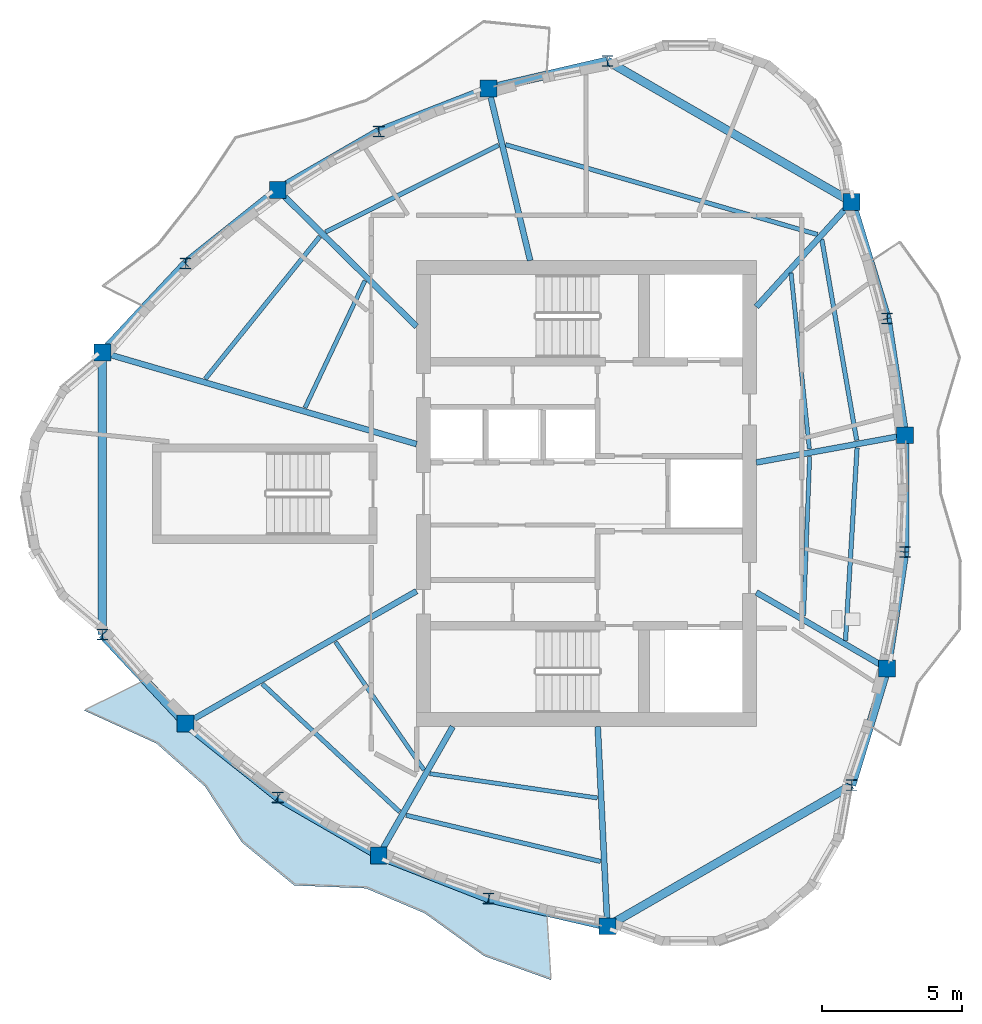
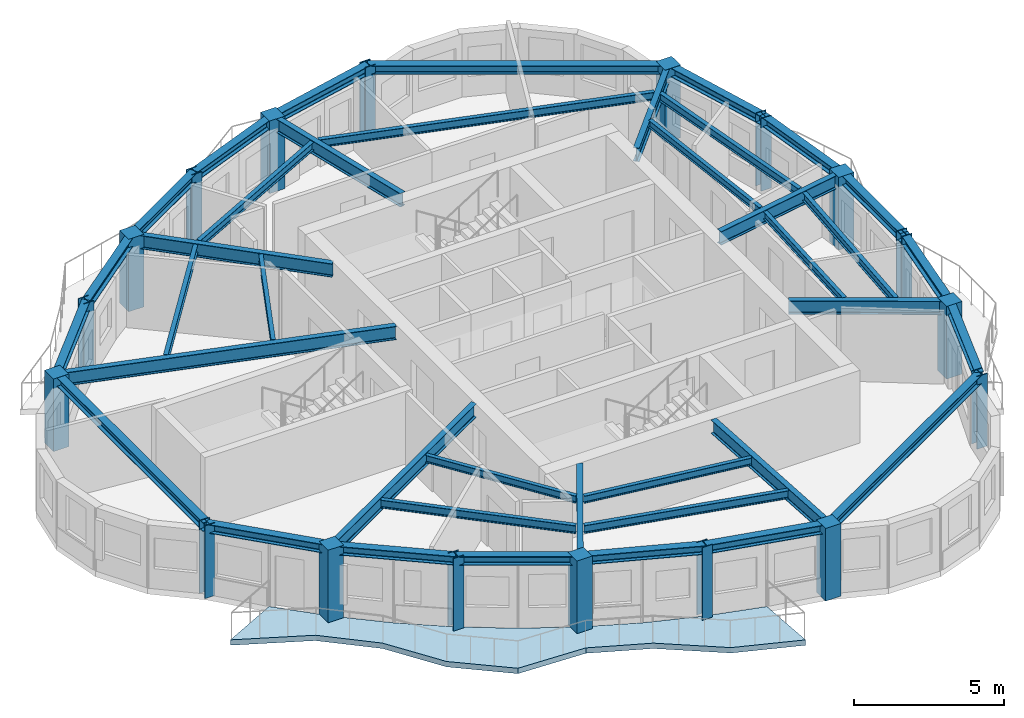
# One storey, part 1 of 11: 39 beams, 18 columns, 1 slab.
"""IFC4 building model written with IfcOpenShell, lengths in metres."""

import ifcopenshell
import ifcopenshell.guid

model = None  # the IFC model being written
_history = None  # IfcOwnerHistory: only IFC2X3 demands one
_inside = {}  # id of a spatial element -> (the spatial element, [elements in it])
_under = {}  # id of a project, library or spatial element -> (it, [spatial elements below it])
_declared = {}  # id of a project -> (the project, [libraries it declares])
_typed = {}  # id of a type object -> (the type object, [elements of that type])
_made_of = {}  # id of a material, layer set ... -> (it, [elements and type objects made of it])


def new_model(schema):
    """Start an empty IFC model of exactly this schema.

    Asked for "IFC4X3", IfcOpenShell would pick the latest addendum, in which some entities
    have other attributes; the version numbers below select the first issue.
    IFC2X3 requires an IfcOwnerHistory on every rooted entity: one is made here for all.
    """
    global model, _history
    if schema == "IFC4X3":
        model = ifcopenshell.file(schema_version=(4, 3, 0, 0))
    else:
        model = ifcopenshell.file(schema=schema)
    _inside.clear()
    _under.clear()
    _declared.clear()
    _typed.clear()
    _made_of.clear()
    _history = None
    if model.schema == "IFC2X3":
        org = make("IfcOrganization", Name="unknown")
        user = make(
            "IfcPersonAndOrganization",
            ThePerson=make("IfcPerson", FamilyName="unknown"),
            TheOrganization=org,
        )
        app = make(
            "IfcApplication",
            ApplicationDeveloper=org,
            Version="unknown",
            ApplicationFullName="unknown",
            ApplicationIdentifier="unknown",
        )
        _history = make(
            "IfcOwnerHistory",
            OwningUser=user,
            OwningApplication=app,
            ChangeAction="ADDED",
            CreationDate=0,
        )
    return model


def make(cls, **values):
    """One entity of the class cls with the attributes given. An attribute that is None is left unset."""
    return model.create_entity(
        cls, **{name: value for name, value in values.items() if value is not None}
    )


def rooted(cls, **values):
    """An entity with a GlobalId (a new one), such as an element, a storey or a relation."""
    return make(cls, GlobalId=ifcopenshell.guid.new(), OwnerHistory=_history, **values)


def si_unit(unit_type, name, prefix=None):
    """IfcSIUnit, for example si_unit("LENGTHUNIT", "METRE", prefix="MILLI")."""
    return make("IfcSIUnit", UnitType=unit_type, Prefix=prefix, Name=name)


def assignment(units):
    """IfcUnitAssignment: the units of a project."""
    return None if units is None else make("IfcUnitAssignment", Units=units)


def point(xyz):
    """IfcCartesianPoint."""
    return None if xyz is None else make("IfcCartesianPoint", Coordinates=xyz)


def direction(xyz):
    """IfcDirection."""
    return None if xyz is None else make("IfcDirection", DirectionRatios=xyz)


def frame(location, z_axis=None, x_axis=None):
    """IfcAxis2Placement3D, a coordinate frame: its origin and axes. An axis left out is left unset."""
    return make(
        "IfcAxis2Placement3D",
        Location=point(location),
        Axis=direction(z_axis),
        RefDirection=direction(x_axis),
    )


def frame_2d(location, x_axis=None):
    """IfcAxis2Placement2D, a coordinate frame in the plane: its origin and x axis."""
    return make(
        "IfcAxis2Placement2D", Location=point(location), RefDirection=direction(x_axis)
    )


def origin():
    """The frame at (0, 0, 0) with its axes left unset."""
    return frame((0.0, 0.0, 0.0))


def origin_2d():
    """The frame at (0, 0) in the plane with its x axis left unset."""
    return frame_2d((0.0, 0.0))


def place(relative_to, where):
    """IfcLocalPlacement: puts the frame where relative to a parent placement (None: the world)."""
    return make(
        "IfcLocalPlacement", PlacementRelTo=relative_to, RelativePlacement=where
    )


def context(
    kind, dimensions, precision=None, world=None, true_north=None, identifier=None
):
    """IfcGeometricRepresentationContext, for example the 3D "Model" context."""
    return make(
        "IfcGeometricRepresentationContext",
        ContextIdentifier=identifier,
        ContextType=kind,
        CoordinateSpaceDimension=dimensions,
        Precision=precision,
        WorldCoordinateSystem=world,
        TrueNorth=true_north,
    )


def subcontext(parent, identifier, kind, view, scale=None):
    """IfcGeometricRepresentationSubContext, for example "Body" below "Model"."""
    return make(
        "IfcGeometricRepresentationSubContext",
        ContextIdentifier=identifier,
        ContextType=kind,
        ParentContext=parent,
        TargetScale=scale,
        TargetView=view,
    )


def project(units=None, contexts=None):
    """IfcProject with its units and contexts."""
    return rooted(
        "IfcProject",
        Name="project",
        RepresentationContexts=contexts,
        UnitsInContext=assignment(units),
    )


def spatial(cls, under=None, at=None, **own):
    """A site, building, storey or space (cls), placed at a placement, below another one or the project."""
    s = rooted(cls, ObjectPlacement=at, **own)
    if under is not None:
        _under.setdefault(under.id(), (under, []))[1].append(s)
    return s


def polyline(points):
    """IfcPolyline through the points."""
    return make("IfcPolyline", Points=[point(p) for p in points])


def profile(cls, at=None, kind="AREA", **sizes):
    """A parametric profile (cls). Its sizes go by their IFC names, for example OverallWidth=200.0."""
    return make(cls, ProfileType=kind, Position=at, **sizes)


def rectangle(**sizes):
    """IfcRectangleProfileDef."""
    return profile("IfcRectangleProfileDef", **sizes)


def i_section(**sizes):
    """IfcIShapeProfileDef."""
    return profile("IfcIShapeProfileDef", **sizes)


def outline(outer, holes=None, kind="AREA"):
    """IfcArbitraryClosedProfileDef: a profile drawn as a closed curve; with holes, ...WithVoids."""
    if holes is None:
        return make("IfcArbitraryClosedProfileDef", ProfileType=kind, OuterCurve=outer)
    return make(
        "IfcArbitraryProfileDefWithVoids",
        ProfileType=kind,
        OuterCurve=outer,
        InnerCurves=holes,
    )


def extrude(swept, where, along, depth):
    """IfcExtrudedAreaSolid: the profile swept, set in the frame where, extruded along a direction by depth."""
    return make(
        "IfcExtrudedAreaSolid",
        SweptArea=swept,
        Position=where,
        ExtrudedDirection=direction(along),
        Depth=depth,
    )


def shape(context_of_items, identifier, shape_type, items):
    """IfcShapeRepresentation: the items that make up one representation, for example the "Body"."""
    return make(
        "IfcShapeRepresentation",
        ContextOfItems=context_of_items,
        RepresentationIdentifier=identifier,
        RepresentationType=shape_type,
        Items=items,
    )


def source(mapping_origin, context_of_items, identifier, shape_type, items):
    """IfcRepresentationMap: a shape defined once, which mapped items show again and again."""
    return make(
        "IfcRepresentationMap",
        MappingOrigin=mapping_origin,
        MappedRepresentation=shape(context_of_items, identifier, shape_type, items),
    )


def transform(
    local_origin,
    x_axis=None,
    y_axis=None,
    z_axis=None,
    scale=None,
    scale2=None,
    scale3=None,
    uniform=True,
):
    """IfcCartesianTransformationOperator3D, or its non-uniform kind. x_axis, y_axis, z_axis: its Axis1, 2, 3."""
    if uniform:
        return make(
            "IfcCartesianTransformationOperator3D",
            Axis1=direction(x_axis),
            Axis2=direction(y_axis),
            LocalOrigin=point(local_origin),
            Scale=scale,
            Axis3=direction(z_axis),
        )
    return make(
        "IfcCartesianTransformationOperator3DnonUniform",
        Axis1=direction(x_axis),
        Axis2=direction(y_axis),
        LocalOrigin=point(local_origin),
        Scale=scale,
        Axis3=direction(z_axis),
        Scale2=scale2,
        Scale3=scale3,
    )


def mapped(mapping_source, mapping_target):
    """IfcMappedItem: shows the shape of a source again, moved by a transform."""
    return make(
        "IfcMappedItem", MappingSource=mapping_source, MappingTarget=mapping_target
    )


def material(Name=None, Category=None):
    """IfcMaterial."""
    return make("IfcMaterial", Name=Name, Category=Category)


def layer(
    of_material, thickness, ventilated=None, Name=None, Category=None, Priority=None
):
    """IfcMaterialLayer: one layer of a wall or slab, of a material (None: an air gap)."""
    return make(
        "IfcMaterialLayer",
        Material=of_material,
        LayerThickness=thickness,
        IsVentilated=ventilated,
        Name=Name,
        Category=Category,
        Priority=Priority,
    )


def layer_set(layers, Name=None):
    """IfcMaterialLayerSet."""
    return make("IfcMaterialLayerSet", MaterialLayers=layers, LayerSetName=Name)


def material_profile(
    of_material, cross_section, Name=None, Category=None, Priority=None
):
    """IfcMaterialProfile: a cross section and its material."""
    return make(
        "IfcMaterialProfile",
        Name=Name,
        Material=of_material,
        Profile=cross_section,
        Priority=Priority,
        Category=Category,
    )


def profile_set(profiles, Name=None, composite=None):
    """IfcMaterialProfileSet."""
    return make(
        "IfcMaterialProfileSet",
        Name=Name,
        MaterialProfiles=profiles,
        CompositeProfile=composite,
    )


def made_of(thing, what):
    """Note that an element or type object is made of a material, layer set ...; save() writes the relation."""
    if what is not None:
        _made_of.setdefault(what.id(), (what, []))[1].append(thing)
    return thing


def type_object(cls, material=None, **own):
    """A type object (cls), such as IfcWallType, which elements share."""
    return made_of(rooted(cls, **own), material)


def element(
    cls,
    number,
    at=None,
    inside=None,
    cuts=None,
    type_object=None,
    material=None,
    context=None,
    identifier="Body",
    shape_type=None,
    held_by="IfcProductDefinitionShape",
    body=None,
    shapes=None,
    **own,
):
    """One element of the class cls, such as IfcWall. Its Tag is "e" and its number.

    at: its placement. inside: the storey or other place that contains it. cuts: it is an
    opening in that element (IfcRelVoidsElement). A single representation is given by context,
    identifier, shape_type and body (its items); several are given by shapes. held_by: the class
    of the entity that holds the representations. save() writes the other relations.
    """
    e = rooted(cls, Tag="e%d" % number, ObjectPlacement=at, **own)
    if body is not None:
        shapes = [shape(context, identifier, shape_type, body)]
    if shapes is not None:
        e.Representation = make(held_by, Representations=shapes)
    if inside is not None:
        _inside.setdefault(inside.id(), (inside, []))[1].append(e)
    if cuts is not None:
        rooted(
            "IfcRelVoidsElement", RelatingBuildingElement=cuts, RelatedOpeningElement=e
        )
    if type_object is not None:
        _typed.setdefault(type_object.id(), (type_object, []))[1].append(e)
    return made_of(e, material)


def aggregate(whole, parts):
    """IfcRelAggregates: a whole, such as a stair, and the parts it consists of."""
    return rooted("IfcRelAggregates", RelatingObject=whole, RelatedObjects=parts)


def save(model, path):
    """Write the relations noted so far, then the file.

    IfcRelAggregates (storeys below a building ...), IfcRelContainedInSpatialStructure (elements
    in a storey), IfcRelDefinesByType, IfcRelAssociatesMaterial and IfcRelDeclares: one each for
    every whole, place, type object, material and project.
    """
    for whole, parts in _under.values():
        aggregate(whole, parts)
    for where, things in _inside.values():
        rooted(
            "IfcRelContainedInSpatialStructure",
            RelatedElements=things,
            RelatingStructure=where,
        )
    for kind, things in _typed.values():
        rooted("IfcRelDefinesByType", RelatedObjects=things, RelatingType=kind)
    for what, things in _made_of.values():
        rooted("IfcRelAssociatesMaterial", RelatedObjects=things, RelatingMaterial=what)
    for by, libraries in _declared.values():
        rooted("IfcRelDeclares", RelatingContext=by, RelatedDefinitions=libraries)
    model.write(path)


model = new_model("IFC4")

# Units and contexts
model_context = context("Model", 3, precision=1e-05, world=origin(), true_north=direction((0.0, 1.0)))
body_context = subcontext(model_context, "Body", "Model", "MODEL_VIEW")
ifc_project = project(units=[si_unit("LENGTHUNIT", "METRE"), si_unit("AREAUNIT", "SQUARE_METRE"), si_unit("VOLUMEUNIT", "CUBIC_METRE"), si_unit("PLANEANGLEUNIT", "RADIAN"), si_unit("MASSUNIT", "GRAM", prefix="KILO")], contexts=[model_context])

# Site, building, storey
site_placement = place(None, origin())
site = spatial("IfcSite", under=ifc_project, at=site_placement, CompositionType="ELEMENT")
building_placement = place(site_placement, origin())
building = spatial("IfcBuilding", under=site, at=building_placement, Name="Qafzar Sky-Pleat Residences", CompositionType="ELEMENT")
storey_placement = place(building_placement, frame((0.0, 0.0, 237.199951171875)))
storey = spatial("IfcBuildingStorey", under=building, at=storey_placement, Name="L71", CompositionType="ELEMENT", Elevation=237.199951171875)

# Columns
ifc_material_1 = material(Name="Concrete C50/60", Category="concrete")
ifc_material_profile_1 = material_profile(ifc_material_1, rectangle(XDim=0.60009765625, YDim=0.60009765625, at=origin_2d()), Name="RC 600x600")
ifc_profile_set_1 = profile_set([ifc_material_profile_1], Name="Concrete C50/60")
column_type_1 = type_object("IfcColumnType", Name="COL-RC-600", PredefinedType="COLUMN", material=ifc_profile_set_1)
shared_shape_1 = source(origin(), body_context, "Body", "SweptSolid", [
    extrude(rectangle(XDim=0.60009765625, YDim=0.60009765625, at=origin_2d()), origin(), (0.0, 0.0, 1.0), 2.9599609375),
])
for number, where, z_axis, x_axis, name in (
    (1, (13.110107421875, 31.02294921875, 0.0), (0.0, 0.0, 1.0), (1.0, 0.0, 0.0), "L71 Perimeter Mega Column 1"),
    (2, (16.07568359375, 17.806884765625, 0.0), (0.0, 0.0, 1.0), (1.0, 0.0, 0.0), "L71 Perimeter Mega Column 3"),
    (3, (22.9541015625, 13.106689453125, 0.0), (0.0, 0.0, 1.0), (1.0, 0.0, 0.0), "L71 Perimeter Mega Column 5"),
    (4, (31.094970703125, 10.593505859375, 0.0), (0.0, 0.0, 1.0), (1.0, 0.0, 0.0), "L71 Perimeter Mega Column 7"),
    (5, (41.0576171875, 19.769775390625, 0.0), (0.0, 0.0, 1.0), (1.0, 0.0, 0.0), "L71 Perimeter Mega Column 9"),
    (6, (41.68896484375, 28.07666015625, 0.0), (0.0, 0.0, 1.0), (1.0, 0.0, 0.0), "L71 Perimeter Mega Column 11"),
    (7, (39.794921875, 36.383544921875, 0.0), (0.0, 0.0, 1.0), (1.0, 0.0, 0.0), "L71 Perimeter Mega Column 13"),
    (8, (26.86669921875, 40.42333984375, 0.0), (0.0, 0.0, 1.0), (1.0, 0.0, 0.0), "L71 Perimeter Mega Column 15"),
    (9, (19.35693359375, 36.816650390625, 0.0), (0.0, 0.0, 1.0), (1.0, 0.0, 0.0), "L71 Perimeter Mega Column 17"),
):
    element("IfcColumn", number, at=place(storey_placement, frame(where, z_axis=z_axis, x_axis=x_axis)), inside=storey, type_object=column_type_1, Name=name, PredefinedType="COLUMN", context=body_context, shape_type="MappedRepresentation", body=[
        mapped(shared_shape_1, transform((0.0, 0.0, 0.0), x_axis=(1.0, 0.0, 0.0), y_axis=(0.0, 1.0, 0.0), z_axis=(0.0, 0.0, 1.0), scale=1.0)),
    ])
ifc_material_2 = material(Name="Steel S355", Category="steel")
ifc_material_profile_2 = material_profile(ifc_material_2, i_section(OverallWidth=0.39794921875, OverallDepth=0.386962890625, WebThickness=0.01904296875, FlangeThickness=0.030029296875, FilletRadius=0.014892578125, at=origin_2d()), Name="HD 400x262")
ifc_profile_set_2 = profile_set([ifc_material_profile_2], Name="Steel S355")
column_type_2 = type_object("IfcColumnType", Name="COL-STL-HD262", PredefinedType="PILASTER", material=ifc_profile_set_2)
shared_shape_2 = source(origin(), body_context, "Body", "SweptSolid", [
    extrude(i_section(OverallWidth=0.39794921875, OverallDepth=0.386962890625, WebThickness=0.01904296875, FlangeThickness=0.030029296875, FilletRadius=0.014892578125, at=origin_2d()), origin(), (0.0, 0.0, 1.0), 2.9599609375),
])
for number, where, z_axis, x_axis, name in (
    (10, (13.110107421875, 20.97705078125, 0.0), (0.0, 0.0, 1.0), (1.0, 0.0, 0.0), "L71 Perimeter Mega Column 2"),
    (11, (19.35693359375, 15.183349609375, 0.0), (0.0, 0.0, 1.0), (1.0, 0.0, 0.0), "L71 Perimeter Mega Column 4"),
    (12, (26.86669921875, 11.57666015625, 0.0), (0.0, 0.0, 1.0), (1.0, 0.0, 0.0), "L71 Perimeter Mega Column 6"),
    (13, (39.794921875, 15.616455078125, 0.0), (0.0, 0.0, 1.0), (1.0, 0.0, 0.0), "L71 Perimeter Mega Column 8"),
    (14, (41.68896484375, 23.92333984375, 0.0), (0.0, 0.0, 1.0), (1.0, 0.0, 0.0), "L71 Perimeter Mega Column 10"),
    (15, (41.0576171875, 32.230224609375, 0.0), (0.0, 0.0, 1.0), (1.0, 0.0, 0.0), "L71 Perimeter Mega Column 12"),
    (16, (31.094970703125, 41.406494140625, 0.0), (0.0, 0.0, 1.0), (1.0, 0.0, 0.0), "L71 Perimeter Mega Column 14"),
    (17, (22.9541015625, 38.893310546875, 0.0), (0.0, 0.0, 1.0), (1.0, 0.0, 0.0), "L71 Perimeter Mega Column 16"),
    (18, (16.07568359375, 34.193115234375, 0.0), (0.0, 0.0, 1.0), (1.0, 0.0, 0.0), "L71 Perimeter Mega Column 18"),
):
    element("IfcColumn", number, at=place(storey_placement, frame(where, z_axis=z_axis, x_axis=x_axis)), inside=storey, type_object=column_type_2, Name=name, PredefinedType="PILASTER", context=body_context, shape_type="MappedRepresentation", body=[
        mapped(shared_shape_2, transform((0.0, 0.0, 0.0), x_axis=(1.0, 0.0, 0.0), y_axis=(0.0, 1.0, 0.0), z_axis=(0.0, 0.0, 1.0), scale=1.0)),
    ])

# Beams
ifc_material_profile_3 = material_profile(ifc_material_2, i_section(OverallWidth=0.300048828125, OverallDepth=0.360107421875, WebThickness=0.012451171875, FlangeThickness=0.0224609375, FilletRadius=0.027099609375, at=origin_2d()), Name="HEB 360")
ifc_profile_set_3 = profile_set([ifc_material_profile_3], Name="Steel S355")
beam_type_1 = type_object("IfcBeamType", Name="BM-SPAN-HEB360", PredefinedType="SPANDREL", material=ifc_profile_set_3)
shared_shape_3 = source(origin(), body_context, "Body", "SweptSolid", [
    extrude(i_section(OverallWidth=0.300048828125, OverallDepth=0.360107421875, WebThickness=0.012451171875, FlangeThickness=0.0224609375, FilletRadius=0.027099609375, at=origin_2d()), origin(), (0.0, 0.0, 1.0), 10.0458984375),
])
for number, where, z_axis, x_axis, name in (
    (19, (13.110107421875, 31.02294921875, 2.778076171875), (0.0, -1.0, 0.0), (1.0, 0.0, 0.0), "L71 Perimeter Spandrel Beam 1"),
    (20, (31.094970703125, 10.593505859375, 2.778076171875), (0.866024107753, 0.500002244785, 0.0), (-0.500002244785, 0.866024107753, 0.0), "L71 Perimeter Spandrel Beam 7"),
    (21, (39.794921875, 36.383544921875, 2.778076171875), (-0.866024107753, 0.500002244785, 0.0), (-0.500002244785, -0.866024107753, 0.0), "L71 Perimeter Spandrel Beam 13"),
):
    element("IfcBeam", number, at=place(storey_placement, frame(where, z_axis=z_axis, x_axis=x_axis)), inside=storey, type_object=beam_type_1, Name=name, PredefinedType="SPANDREL", context=body_context, shape_type="MappedRepresentation", body=[
        mapped(shared_shape_3, transform((0.0, 0.0, 0.0), x_axis=(1.0, 0.0, 0.0), y_axis=(0.0, 1.0, 0.0), z_axis=(0.0, 0.0, 1.0), scale=1.0)),
    ])
shared_shape_4 = source(origin(), body_context, "Body", "SweptSolid", [
    extrude(i_section(OverallWidth=0.300048828125, OverallDepth=0.360107421875, WebThickness=0.012451171875, FlangeThickness=0.0224609375, FilletRadius=0.027099609375, at=origin_2d()), origin(), (0.0, 0.0, 1.0), 4.341064453125),
])
for number, where, z_axis, x_axis, name in (
    (22, (13.110107421875, 20.97705078125, 2.778076171875), (0.683149388691, -0.730278654166, 0.0), (0.730278654166, 0.683149388691, 0.0), "L71 Perimeter Spandrel Beam 2"),
    (23, (26.86669921875, 11.57666015625, 2.778076171875), (0.974016394528, -0.226477511448, 0.0), (0.226477511448, 0.974016394528, 0.0), "L71 Perimeter Spandrel Beam 6"),
    (24, (39.794921875, 15.616455078125, 2.778076171875), (0.290875146636, 0.956761019832, 0.0), (-0.956761019832, 0.290875146636, 0.0), "L71 Perimeter Spandrel Beam 8"),
    (25, (41.0576171875, 32.230224609375, 2.778076171875), (-0.290875146636, 0.956761019832, 0.0), (-0.956761019832, -0.290875146636, 0.0), "L71 Perimeter Spandrel Beam 12"),
    (26, (31.094970703125, 41.406494140625, 2.778076171875), (-0.974016394528, -0.226477511448, 0.0), (0.226477511448, -0.974016394528, 0.0), "L71 Perimeter Spandrel Beam 14"),
    (27, (16.07568359375, 34.193115234375, 2.778076171875), (-0.683149388691, -0.730278654166, 0.0), (0.730278654166, -0.683149388691, 0.0), "L71 Perimeter Spandrel Beam 18"),
):
    element("IfcBeam", number, at=place(storey_placement, frame(where, z_axis=z_axis, x_axis=x_axis)), inside=storey, type_object=beam_type_1, Name=name, PredefinedType="SPANDREL", context=body_context, shape_type="MappedRepresentation", body=[
        mapped(shared_shape_4, transform((0.0, 0.0, 0.0), x_axis=(1.0, 0.0, 0.0), y_axis=(0.0, 1.0, 0.0), z_axis=(0.0, 0.0, 1.0), scale=1.0)),
    ])
shared_shape_5 = source(origin(), body_context, "Body", "SweptSolid", [
    extrude(i_section(OverallWidth=0.300048828125, OverallDepth=0.360107421875, WebThickness=0.012451171875, FlangeThickness=0.0224609375, FilletRadius=0.027099609375, at=origin_2d()), origin(), (0.0, 0.0, 1.0), 4.201171875),
])
for number, where, z_axis, x_axis, name in (
    (28, (16.07568359375, 17.806884765625, 2.778076171875), (0.781038867361, -0.624482415823, 0.0), (0.624482415823, 0.781038867361, 0.0), "L71 Perimeter Spandrel Beam 3"),
    (29, (22.9541015625, 13.106689453125, 2.778076171875), (0.931322496372, -0.364195562509, 0.0), (0.364195562509, 0.931322496372, 0.0), "L71 Perimeter Spandrel Beam 5"),
    (30, (41.0576171875, 19.769775390625, 2.778076171875), (0.15027531127, 0.98864418818, 0.0), (-0.98864418818, 0.15027531127, 0.0), "L71 Perimeter Spandrel Beam 9"),
    (31, (41.68896484375, 28.07666015625, 2.778076171875), (-0.15027531127, 0.98864418818, 0.0), (-0.98864418818, -0.15027531127, 0.0), "L71 Perimeter Spandrel Beam 11"),
    (32, (26.86669921875, 40.42333984375, 2.778076171875), (-0.931322496372, -0.364195562509, 0.0), (0.364195562509, -0.931322496372, 0.0), "L71 Perimeter Spandrel Beam 15"),
    (33, (19.35693359375, 36.816650390625, 2.778076171875), (-0.781038867361, -0.624482415823, 0.0), (0.624482415823, -0.781038867361, 0.0), "L71 Perimeter Spandrel Beam 17"),
):
    element("IfcBeam", number, at=place(storey_placement, frame(where, z_axis=z_axis, x_axis=x_axis)), inside=storey, type_object=beam_type_1, Name=name, PredefinedType="SPANDREL", context=body_context, shape_type="MappedRepresentation", body=[
        mapped(shared_shape_5, transform((0.0, 0.0, 0.0), x_axis=(1.0, 0.0, 0.0), y_axis=(0.0, 1.0, 0.0), z_axis=(0.0, 0.0, 1.0), scale=1.0)),
    ])
shared_shape_6 = source(origin(), body_context, "Body", "SweptSolid", [
    extrude(i_section(OverallWidth=0.300048828125, OverallDepth=0.360107421875, WebThickness=0.012451171875, FlangeThickness=0.0224609375, FilletRadius=0.027099609375, at=origin_2d()), origin(), (0.0, 0.0, 1.0), 4.153564453125),
])
for number, where, z_axis, x_axis, name in (
    (34, (19.35693359375, 15.183349609375, 2.778076171875), (0.866042681666, -0.499970072638, 0.0), (0.499970072638, 0.866042681666, 0.0), "L71 Perimeter Spandrel Beam 4"),
    (35, (22.9541015625, 38.893310546875, 2.778076171875), (-0.866042681666, -0.499970072638, 0.0), (0.499970072638, -0.866042681666, 0.0), "L71 Perimeter Spandrel Beam 16"),
):
    element("IfcBeam", number, at=place(storey_placement, frame(where, z_axis=z_axis, x_axis=x_axis)), inside=storey, type_object=beam_type_1, Name=name, PredefinedType="SPANDREL", context=body_context, shape_type="MappedRepresentation", body=[
        mapped(shared_shape_6, transform((0.0, 0.0, 0.0), x_axis=(1.0, 0.0, 0.0), y_axis=(0.0, 1.0, 0.0), z_axis=(0.0, 0.0, 1.0), scale=1.0)),
    ])
shared_shape_7 = source(origin(), body_context, "Body", "SweptSolid", [
    extrude(i_section(OverallWidth=0.300048828125, OverallDepth=0.360107421875, WebThickness=0.012451171875, FlangeThickness=0.0224609375, FilletRadius=0.027099609375, at=origin_2d()), origin(), (0.0, 0.0, 1.0), 4.1533203125),
])
beam_1_placement = place(storey_placement, frame((41.68896484375, 23.92333984375, 2.778076171875), z_axis=(0.0, 1.0, 0.0), x_axis=(-1.0, 0.0, 0.0)))
element("IfcBeam", 36, at=beam_1_placement, inside=storey, type_object=beam_type_1, Name="L71 Perimeter Spandrel Beam 10", PredefinedType="SPANDREL", context=body_context, shape_type="MappedRepresentation", body=[
    mapped(shared_shape_7, transform((0.0, 0.0, 0.0), x_axis=(1.0, 0.0, 0.0), y_axis=(0.0, 1.0, 0.0), z_axis=(0.0, 0.0, 1.0), scale=1.0)),
])
ifc_material_profile_4 = material_profile(ifc_material_2, i_section(OverallWidth=0.2099609375, OverallDepth=0.550048828125, WebThickness=0.010986328125, FlangeThickness=0.01708984375, FilletRadius=0.02392578125, at=origin_2d()), Name="IPE 550")
ifc_profile_set_4 = profile_set([ifc_material_profile_4], Name="Steel S355")
beam_type_2 = type_object("IfcBeamType", Name="BM-SEC-IPE550", PredefinedType="BEAM", material=ifc_profile_set_4)
shared_shape_8 = source(origin(), body_context, "Body", "SweptSolid", [
    extrude(i_section(OverallWidth=0.2099609375, OverallDepth=0.550048828125, WebThickness=0.010986328125, FlangeThickness=0.01708984375, FilletRadius=0.02392578125, at=origin_2d()), origin(), (0.0, 0.0, 1.0), 11.6552734375),
])
beam_2_placement = place(storey_placement, frame((13.110107421875, 31.02294921875, 2.68310546875), z_axis=(0.96008019559, -0.279724897061, 0.0), x_axis=(0.279724897061, 0.96008019559, 0.0)))
element("IfcBeam", 37, at=beam_2_placement, inside=storey, type_object=beam_type_2, Name="L71 Radial Floor Girder 1", PredefinedType="BEAM", context=body_context, shape_type="MappedRepresentation", body=[
    mapped(shared_shape_8, transform((0.0, 0.0, 0.0), x_axis=(1.0, 0.0, 0.0), y_axis=(0.0, 1.0, 0.0), z_axis=(0.0, 0.0, 1.0), scale=1.0)),
])
shared_shape_9 = source(origin(), body_context, "Body", "SweptSolid", [
    extrude(i_section(OverallWidth=0.2099609375, OverallDepth=0.550048828125, WebThickness=0.010986328125, FlangeThickness=0.01708984375, FilletRadius=0.02392578125, at=origin_2d()), origin(), (0.0, 0.0, 1.0), 9.482666015625),
])
beam_3_placement = place(storey_placement, frame((16.07568359375, 17.806884765625, 2.68310546875), z_axis=(0.867295706559, 0.497793287806, 0.0), x_axis=(-0.497793287806, 0.867295706559, 0.0)))
element("IfcBeam", 38, at=beam_3_placement, inside=storey, type_object=beam_type_2, Name="L71 Radial Floor Girder 3", PredefinedType="BEAM", context=body_context, shape_type="MappedRepresentation", body=[
    mapped(shared_shape_9, transform((0.0, 0.0, 0.0), x_axis=(1.0, 0.0, 0.0), y_axis=(0.0, 1.0, 0.0), z_axis=(0.0, 0.0, 1.0), scale=1.0)),
])
shared_shape_10 = source(origin(), body_context, "Body", "SweptSolid", [
    extrude(i_section(OverallWidth=0.2099609375, OverallDepth=0.550048828125, WebThickness=0.010986328125, FlangeThickness=0.01708984375, FilletRadius=0.02392578125, at=origin_2d()), origin(), (0.0, 0.0, 1.0), 5.295166015625),
])
beam_4_placement = place(storey_placement, frame((22.9541015625, 13.106689453125, 2.68310546875), z_axis=(0.497568238618, 0.867424837043, 0.0), x_axis=(-0.867424837043, 0.497568238618, 0.0)))
element("IfcBeam", 39, at=beam_4_placement, inside=storey, type_object=beam_type_2, Name="L71 Radial Floor Girder 5", PredefinedType="BEAM", context=body_context, shape_type="MappedRepresentation", body=[
    mapped(shared_shape_10, transform((0.0, 0.0, 0.0), x_axis=(1.0, 0.0, 0.0), y_axis=(0.0, 1.0, 0.0), z_axis=(0.0, 0.0, 1.0), scale=1.0)),
])
shared_shape_11 = source(origin(), body_context, "Body", "SweptSolid", [
    extrude(i_section(OverallWidth=0.2099609375, OverallDepth=0.550048828125, WebThickness=0.010986328125, FlangeThickness=0.01708984375, FilletRadius=0.02392578125, at=origin_2d()), origin(), (0.0, 0.0, 1.0), 7.11474609375),
])
beam_5_placement = place(storey_placement, frame((31.094970703125, 10.593505859375, 2.68310546875), z_axis=(-0.048280855979, 0.998833799461, 0.0), x_axis=(-0.998833799461, -0.048280855979, 0.0)))
element("IfcBeam", 40, at=beam_5_placement, inside=storey, type_object=beam_type_2, Name="L71 Radial Floor Girder 7", PredefinedType="BEAM", context=body_context, shape_type="MappedRepresentation", body=[
    mapped(shared_shape_11, transform((0.0, 0.0, 0.0), x_axis=(1.0, 0.0, 0.0), y_axis=(0.0, 1.0, 0.0), z_axis=(0.0, 0.0, 1.0), scale=1.0)),
])
shared_shape_12 = source(origin(), body_context, "Body", "SweptSolid", [
    extrude(i_section(OverallWidth=0.2099609375, OverallDepth=0.550048828125, WebThickness=0.010986328125, FlangeThickness=0.01708984375, FilletRadius=0.02392578125, at=origin_2d()), origin(), (0.0, 0.0, 1.0), 5.388916015625),
])
beam_6_placement = place(storey_placement, frame((41.0576171875, 19.769775390625, 2.68310546875), z_axis=(-0.864327211809, 0.502929886691, 0.0), x_axis=(-0.502929886691, -0.864327211809, 0.0)))
element("IfcBeam", 41, at=beam_6_placement, inside=storey, type_object=beam_type_2, Name="L71 Radial Floor Girder 9", PredefinedType="BEAM", context=body_context, shape_type="MappedRepresentation", body=[
    mapped(shared_shape_12, transform((0.0, 0.0, 0.0), x_axis=(1.0, 0.0, 0.0), y_axis=(0.0, 1.0, 0.0), z_axis=(0.0, 0.0, 1.0), scale=1.0)),
])
shared_shape_13 = source(origin(), body_context, "Body", "SweptSolid", [
    extrude(i_section(OverallWidth=0.2099609375, OverallDepth=0.550048828125, WebThickness=0.010986328125, FlangeThickness=0.01708984375, FilletRadius=0.02392578125, at=origin_2d()), origin(), (0.0, 0.0, 1.0), 5.376953125),
])
beam_7_placement = place(storey_placement, frame((41.68896484375, 28.07666015625, 2.68310546875), z_axis=(-0.983636609804, -0.180163869447, 0.0), x_axis=(0.180163869447, -0.983636609804, 0.0)))
element("IfcBeam", 42, at=beam_7_placement, inside=storey, type_object=beam_type_2, Name="L71 Radial Floor Girder 11", PredefinedType="BEAM", context=body_context, shape_type="MappedRepresentation", body=[
    mapped(shared_shape_13, transform((0.0, 0.0, 0.0), x_axis=(1.0, 0.0, 0.0), y_axis=(0.0, 1.0, 0.0), z_axis=(0.0, 0.0, 1.0), scale=1.0)),
])
shared_shape_14 = source(origin(), body_context, "Body", "SweptSolid", [
    extrude(i_section(OverallWidth=0.2099609375, OverallDepth=0.550048828125, WebThickness=0.010986328125, FlangeThickness=0.01708984375, FilletRadius=0.02392578125, at=origin_2d()), origin(), (0.0, 0.0, 1.0), 5.04541015625),
])
beam_8_placement = place(storey_placement, frame((39.794921875, 36.383544921875, 2.68310546875), z_axis=(-0.672879893437, -0.739751748229, 0.0), x_axis=(0.739751748229, -0.672879893437, 0.0)))
element("IfcBeam", 43, at=beam_8_placement, inside=storey, type_object=beam_type_2, Name="L71 Radial Floor Girder 13", PredefinedType="BEAM", context=body_context, shape_type="MappedRepresentation", body=[
    mapped(shared_shape_14, transform((0.0, 0.0, 0.0), x_axis=(1.0, 0.0, 0.0), y_axis=(0.0, 1.0, 0.0), z_axis=(0.0, 0.0, 1.0), scale=1.0)),
])
shared_shape_15 = source(origin(), body_context, "Body", "SweptSolid", [
    extrude(i_section(OverallWidth=0.2099609375, OverallDepth=0.550048828125, WebThickness=0.010986328125, FlangeThickness=0.01708984375, FilletRadius=0.02392578125, at=origin_2d()), origin(), (0.0, 0.0, 1.0), 6.29931640625),
])
beam_9_placement = place(storey_placement, frame((26.86669921875, 40.42333984375, 2.68310546875), z_axis=(0.234749137403, -0.972055987322, 0.0), x_axis=(0.972055987322, 0.234749137403, 0.0)))
element("IfcBeam", 44, at=beam_9_placement, inside=storey, type_object=beam_type_2, Name="L71 Radial Floor Girder 15", PredefinedType="BEAM", context=body_context, shape_type="MappedRepresentation", body=[
    mapped(shared_shape_15, transform((0.0, 0.0, 0.0), x_axis=(1.0, 0.0, 0.0), y_axis=(0.0, 1.0, 0.0), z_axis=(0.0, 0.0, 1.0), scale=1.0)),
])
shared_shape_16 = source(origin(), body_context, "Body", "SweptSolid", [
    extrude(i_section(OverallWidth=0.2099609375, OverallDepth=0.550048828125, WebThickness=0.010986328125, FlangeThickness=0.01708984375, FilletRadius=0.02392578125, at=origin_2d()), origin(), (0.0, 0.0, 1.0), 6.934814453125),
])
beam_10_placement = place(storey_placement, frame((19.35693359375, 36.816650390625, 2.68310546875), z_axis=(0.712804522082, -0.701362754429, 0.0), x_axis=(0.701362754429, 0.712804522082, 0.0)))
element("IfcBeam", 45, at=beam_10_placement, inside=storey, type_object=beam_type_2, Name="L71 Radial Floor Girder 17", PredefinedType="BEAM", context=body_context, shape_type="MappedRepresentation", body=[
    mapped(shared_shape_16, transform((0.0, 0.0, 0.0), x_axis=(1.0, 0.0, 0.0), y_axis=(0.0, 1.0, 0.0), z_axis=(0.0, 0.0, 1.0), scale=1.0)),
])
ifc_material_profile_5 = material_profile(ifc_material_2, i_section(OverallWidth=0.159912109375, OverallDepth=0.330078125, WebThickness=0.007568359375, FlangeThickness=0.011474609375, FilletRadius=0.01806640625, at=origin_2d()), Name="IPE 330")
ifc_profile_set_5 = profile_set([ifc_material_profile_5], Name="Steel S355")
beam_type_3 = type_object("IfcBeamType", Name="BM-JST-IPE330", PredefinedType="JOIST", material=ifc_profile_set_5)
shared_shape_17 = source(origin(), body_context, "Body", "SweptSolid", [
    extrude(i_section(OverallWidth=0.159912109375, OverallDepth=0.330078125, WebThickness=0.007568359375, FlangeThickness=0.011474609375, FilletRadius=0.01806640625, at=origin_2d()), origin(), (0.0, 0.0, 1.0), 6.685546875),
])
beam_11_placement = place(storey_placement, frame((18.806396484375, 19.225341796875, 2.79296875), z_axis=(0.731731300934, -0.681593209498, 0.0), x_axis=(0.681593209498, 0.731731300934, 0.0)))
element("IfcBeam", 46, at=beam_11_placement, inside=storey, type_object=beam_type_3, Name="L71 Outer Secondary Floor Joist 2", PredefinedType="JOIST", context=body_context, shape_type="MappedRepresentation", body=[
    mapped(shared_shape_17, transform((0.0, 0.0, 0.0), x_axis=(1.0, 0.0, 0.0), y_axis=(0.0, 1.0, 0.0), z_axis=(0.0, 0.0, 1.0), scale=1.0)),
])
shared_shape_18 = source(origin(), body_context, "Body", "SweptSolid", [
    extrude(i_section(OverallWidth=0.159912109375, OverallDepth=0.330078125, WebThickness=0.007568359375, FlangeThickness=0.011474609375, FilletRadius=0.01806640625, at=origin_2d()), origin(), (0.0, 0.0, 1.0), 7.118408203125),
])
beam_12_placement = place(storey_placement, frame((23.928466796875, 14.54541015625, 2.79296875), z_axis=(0.972874251861, -0.231334584672, 0.0), x_axis=(0.231334584672, 0.972874251861, 0.0)))
element("IfcBeam", 47, at=beam_12_placement, inside=storey, type_object=beam_type_3, Name="L71 Outer Secondary Floor Joist 3", PredefinedType="JOIST", context=body_context, shape_type="MappedRepresentation", body=[
    mapped(shared_shape_18, transform((0.0, 0.0, 0.0), x_axis=(1.0, 0.0, 0.0), y_axis=(0.0, 1.0, 0.0), z_axis=(0.0, 0.0, 1.0), scale=1.0)),
])
shared_shape_19 = source(origin(), body_context, "Body", "SweptSolid", [
    extrude(i_section(OverallWidth=0.159912109375, OverallDepth=0.330078125, WebThickness=0.007568359375, FlangeThickness=0.011474609375, FilletRadius=0.01806640625, at=origin_2d()), origin(), (0.0, 0.0, 1.0), 6.872802734375),
])
beam_13_placement = place(storey_placement, frame((39.5751953125, 20.771728515625, 2.79296875), z_axis=(0.06010466193, 0.998192080521, 0.0), x_axis=(-0.998192080521, 0.06010466193, 0.0)))
element("IfcBeam", 48, at=beam_13_placement, inside=storey, type_object=beam_type_3, Name="L71 Outer Secondary Floor Joist 5", PredefinedType="JOIST", context=body_context, shape_type="MappedRepresentation", body=[
    mapped(shared_shape_19, transform((0.0, 0.0, 0.0), x_axis=(1.0, 0.0, 0.0), y_axis=(0.0, 1.0, 0.0), z_axis=(0.0, 0.0, 1.0), scale=1.0)),
])
shared_shape_20 = source(origin(), body_context, "Body", "SweptSolid", [
    extrude(i_section(OverallWidth=0.159912109375, OverallDepth=0.330078125, WebThickness=0.007568359375, FlangeThickness=0.011474609375, FilletRadius=0.01806640625, at=origin_2d()), origin(), (0.0, 0.0, 1.0), 7.263427734375),
])
beam_14_placement = place(storey_placement, frame((39.973388671875, 27.899658203125, 2.79296875), z_axis=(-0.170952491458, 0.985279272929, 0.0), x_axis=(-0.985279272929, -0.170952491458, 0.0)))
element("IfcBeam", 49, at=beam_14_placement, inside=storey, type_object=beam_type_3, Name="L71 Outer Secondary Floor Joist 6", PredefinedType="JOIST", context=body_context, shape_type="MappedRepresentation", body=[
    mapped(shared_shape_20, transform((0.0, 0.0, 0.0), x_axis=(1.0, 0.0, 0.0), y_axis=(0.0, 1.0, 0.0), z_axis=(0.0, 0.0, 1.0), scale=1.0)),
])
shared_shape_21 = source(origin(), body_context, "Body", "SweptSolid", [
    extrude(i_section(OverallWidth=0.159912109375, OverallDepth=0.330078125, WebThickness=0.007568359375, FlangeThickness=0.011474609375, FilletRadius=0.01806640625, at=origin_2d()), origin(), (0.0, 0.0, 1.0), 11.56103515625),
])
beam_15_placement = place(storey_placement, frame((38.578857421875, 35.2265625, 2.79296875), z_axis=(-0.960931233069, 0.276787220285, 0.0), x_axis=(-0.276787220285, -0.960931233069, 0.0)))
element("IfcBeam", 50, at=beam_15_placement, inside=storey, type_object=beam_type_3, Name="L71 Outer Secondary Floor Joist 7", PredefinedType="JOIST", context=body_context, shape_type="MappedRepresentation", body=[
    mapped(shared_shape_21, transform((0.0, 0.0, 0.0), x_axis=(1.0, 0.0, 0.0), y_axis=(0.0, 1.0, 0.0), z_axis=(0.0, 0.0, 1.0), scale=1.0)),
])
shared_shape_22 = source(origin(), body_context, "Body", "SweptSolid", [
    extrude(i_section(OverallWidth=0.159912109375, OverallDepth=0.330078125, WebThickness=0.007568359375, FlangeThickness=0.011474609375, FilletRadius=0.01806640625, at=origin_2d()), origin(), (0.0, 0.0, 1.0), 6.88818359375),
])
beam_16_placement = place(storey_placement, frame((27.21923828125, 38.403564453125, 2.79296875), z_axis=(-0.894242808162, -0.447582171283, 0.0), x_axis=(0.447582171283, -0.894242808162, 0.0)))
element("IfcBeam", 51, at=beam_16_placement, inside=storey, type_object=beam_type_3, Name="L71 Outer Secondary Floor Joist 8", PredefinedType="JOIST", context=body_context, shape_type="MappedRepresentation", body=[
    mapped(shared_shape_22, transform((0.0, 0.0, 0.0), x_axis=(1.0, 0.0, 0.0), y_axis=(0.0, 1.0, 0.0), z_axis=(0.0, 0.0, 1.0), scale=1.0)),
])
shared_shape_23 = source(origin(), body_context, "Body", "SweptSolid", [
    extrude(i_section(OverallWidth=0.159912109375, OverallDepth=0.330078125, WebThickness=0.007568359375, FlangeThickness=0.011474609375, FilletRadius=0.01806640625, at=origin_2d()), origin(), (0.0, 0.0, 1.0), 6.507080078125),
])
beam_17_placement = place(storey_placement, frame((20.85400390625, 35.155029296875, 2.79296875), z_axis=(-0.626788357925, -0.779189549705, 0.0), x_axis=(0.779189549705, -0.626788357925, 0.0)))
element("IfcBeam", 52, at=beam_17_placement, inside=storey, type_object=beam_type_3, Name="L71 Outer Secondary Floor Joist 9", PredefinedType="JOIST", context=body_context, shape_type="MappedRepresentation", body=[
    mapped(shared_shape_23, transform((0.0, 0.0, 0.0), x_axis=(1.0, 0.0, 0.0), y_axis=(0.0, 1.0, 0.0), z_axis=(0.0, 0.0, 1.0), scale=1.0)),
])
ifc_material_profile_6 = material_profile(ifc_material_2, i_section(OverallWidth=0.14990234375, OverallDepth=0.300048828125, WebThickness=0.007080078125, FlangeThickness=0.0107421875, FilletRadius=0.014892578125, at=origin_2d()), Name="IPE 300")
ifc_profile_set_6 = profile_set([ifc_material_profile_6], Name="Steel S355")
beam_type_4 = type_object("IfcBeamType", Name="BM-JST-IPE300", PredefinedType="JOIST", material=ifc_profile_set_6)
shared_shape_24 = source(origin(), body_context, "Body", "SweptSolid", [
    extrude(i_section(OverallWidth=0.14990234375, OverallDepth=0.300048828125, WebThickness=0.007080078125, FlangeThickness=0.0107421875, FilletRadius=0.014892578125, at=origin_2d()), origin(), (0.0, 0.0, 1.0), 5.540283203125),
])
beam_18_placement = place(storey_placement, frame((21.416015625, 20.716796875, 2.80810546875), z_axis=(0.568141693814, -0.822930747846, 0.0), x_axis=(0.822930747846, 0.568141693814, 0.0)))
element("IfcBeam", 53, at=beam_18_placement, inside=storey, type_object=beam_type_4, Name="L71 Inner Secondary Floor Joist 2", PredefinedType="JOIST", context=body_context, shape_type="MappedRepresentation", body=[
    mapped(shared_shape_24, transform((0.0, 0.0, 0.0), x_axis=(1.0, 0.0, 0.0), y_axis=(0.0, 1.0, 0.0), z_axis=(0.0, 0.0, 1.0), scale=1.0)),
])
shared_shape_25 = source(origin(), body_context, "Body", "SweptSolid", [
    extrude(i_section(OverallWidth=0.14990234375, OverallDepth=0.300048828125, WebThickness=0.007080078125, FlangeThickness=0.0107421875, FilletRadius=0.014892578125, at=origin_2d()), origin(), (0.0, 0.0, 1.0), 6.030029296875),
])
beam_19_placement = place(storey_placement, frame((24.77392578125, 16.027099609375, 2.80810546875), z_axis=(0.989628757921, -0.143648604226, 0.0), x_axis=(0.143648604226, 0.989628757921, 0.0)))
element("IfcBeam", 54, at=beam_19_placement, inside=storey, type_object=beam_type_4, Name="L71 Inner Secondary Floor Joist 3", PredefinedType="JOIST", context=body_context, shape_type="MappedRepresentation", body=[
    mapped(shared_shape_25, transform((0.0, 0.0, 0.0), x_axis=(1.0, 0.0, 0.0), y_axis=(0.0, 1.0, 0.0), z_axis=(0.0, 0.0, 1.0), scale=1.0)),
])
shared_shape_26 = source(origin(), body_context, "Body", "SweptSolid", [
    extrude(i_section(OverallWidth=0.14990234375, OverallDepth=0.300048828125, WebThickness=0.007080078125, FlangeThickness=0.0107421875, FilletRadius=0.014892578125, at=origin_2d()), origin(), (0.0, 0.0, 1.0), 5.686767578125),
])
beam_20_placement = place(storey_placement, frame((38.081787109375, 21.63916015625, 2.80810546875), z_axis=(0.038166020162, 0.999271412032, 0.0), x_axis=(-0.999271412032, 0.038166020162, 0.0)))
element("IfcBeam", 55, at=beam_20_placement, inside=storey, type_object=beam_type_4, Name="L71 Inner Secondary Floor Joist 5", PredefinedType="JOIST", context=body_context, shape_type="MappedRepresentation", body=[
    mapped(shared_shape_26, transform((0.0, 0.0, 0.0), x_axis=(1.0, 0.0, 0.0), y_axis=(0.0, 1.0, 0.0), z_axis=(0.0, 0.0, 1.0), scale=1.0)),
])
shared_shape_27 = source(origin(), body_context, "Body", "SweptSolid", [
    extrude(i_section(OverallWidth=0.14990234375, OverallDepth=0.300048828125, WebThickness=0.007080078125, FlangeThickness=0.0107421875, FilletRadius=0.014892578125, at=origin_2d()), origin(), (0.0, 0.0, 1.0), 6.303466796875),
])
beam_21_placement = place(storey_placement, frame((38.2900390625, 27.591064453125, 2.80810546875), z_axis=(-0.103721028673, 0.9946064288, 0.0), x_axis=(-0.9946064288, -0.103721028673, 0.0)))
element("IfcBeam", 56, at=beam_21_placement, inside=storey, type_object=beam_type_4, Name="L71 Inner Secondary Floor Joist 6", PredefinedType="JOIST", context=body_context, shape_type="MappedRepresentation", body=[
    mapped(shared_shape_27, transform((0.0, 0.0, 0.0), x_axis=(1.0, 0.0, 0.0), y_axis=(0.0, 1.0, 0.0), z_axis=(0.0, 0.0, 1.0), scale=1.0)),
])
shared_shape_28 = source(origin(), body_context, "Body", "SweptSolid", [
    extrude(i_section(OverallWidth=0.14990234375, OverallDepth=0.300048828125, WebThickness=0.007080078125, FlangeThickness=0.0107421875, FilletRadius=0.014892578125, at=origin_2d()), origin(), (0.0, 0.0, 1.0), 5.001220703125),
])
beam_22_placement = place(storey_placement, frame((22.462890625, 33.581787109375, 2.80810546875), z_axis=(-0.426652579421, -0.90441559942, 0.0), x_axis=(0.90441559942, -0.426652579421, 0.0)))
element("IfcBeam", 57, at=beam_22_placement, inside=storey, type_object=beam_type_4, Name="L71 Inner Secondary Floor Joist 9", PredefinedType="JOIST", context=body_context, shape_type="MappedRepresentation", body=[
    mapped(shared_shape_28, transform((0.0, 0.0, 0.0), x_axis=(1.0, 0.0, 0.0), y_axis=(0.0, 1.0, 0.0), z_axis=(0.0, 0.0, 1.0), scale=1.0)),
])

# Slab
ifc_material_3 = material(Name="Concrete C40/50", Category="concrete")
ifc_layer = layer(ifc_material_3, 0.219970703125)
ifc_layer_set = layer_set([ifc_layer], Name="Concrete C40/50")
slab_type = type_object("IfcSlabType", Name="SLAB-BAL-220", PredefinedType="USERDEFINED", material=ifc_layer_set)
slab_placement = place(storey_placement, frame((0.0, 0.0, -0.219970703125)))
element("IfcSlab", 58, at=slab_placement, inside=storey, type_object=slab_type, Name="L71 Pleated Stone Balcony 3", ObjectType="BALCONY", PredefinedType="USERDEFINED", context=body_context, shape_type="SweptSolid", body=[
    extrude(outline(polyline([(16.06591796875, 17.800048828125), (17.668212890625, 16.418701171875), (19.349609375, 15.174072265625), (21.110107421875, 14.06640625), (22.94970703125, 13.095458984375), (24.8681640625, 12.26171875), (26.86572265625, 11.564697265625), (28.942138671875, 11.004638671875), (29.08837890625, 8.678466796875), (26.7060546875, 9.532958984375), (24.593017578125, 11.0546875), (22.498291015625, 11.942626953125), (19.944580078125, 12.0478515625), (18.077392578125, 13.581787109375), (16.760498046875, 15.576904296875), (15.04541015625, 17.098876953125), (12.455078125, 18.28173828125), (14.542724609375, 19.318359375), (16.06591796875, 17.800048828125)])), origin(), (0.0, 0.0, 1.0), 0.219970703125),
])

save(model, "model.ifc")
